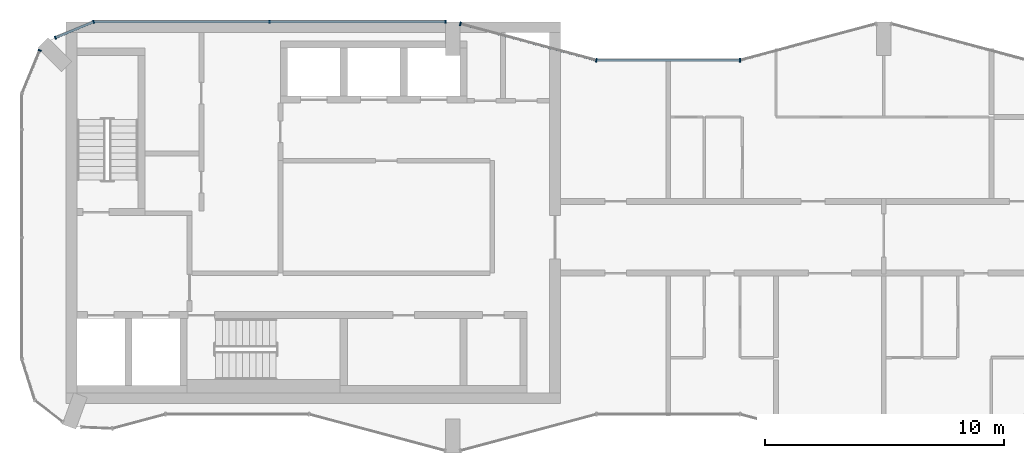
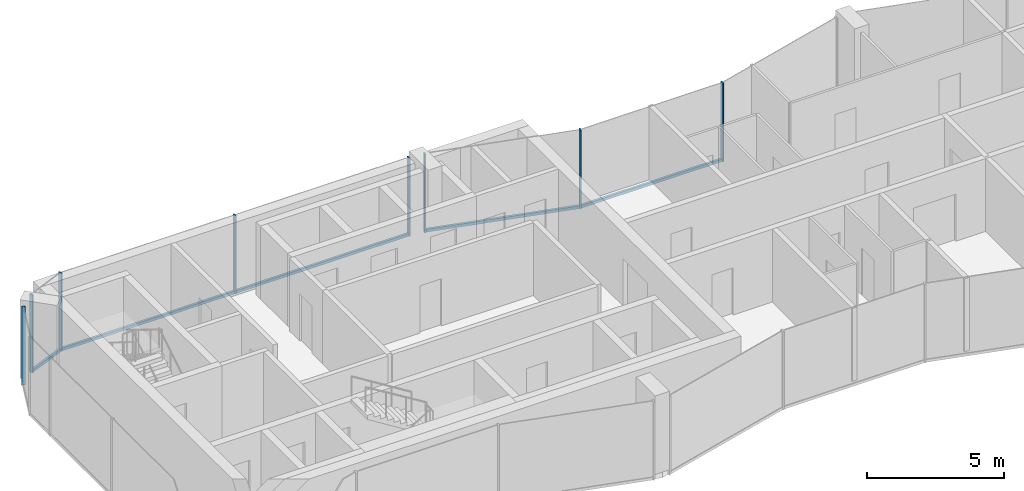
# One storey, part 4 of 10: 12 members, 5 elements without a shape of their own.
"""IFC4 building model written with IfcOpenShell, lengths in metres."""

from ifc_helpers import new_model, si_unit, direction, frame, origin, origin_2d, place, context, subcontext, project, spatial, rectangle, extrude, material, layer, layer_set, material_profile, profile_set, type_object, element, aggregate, save


model = new_model("IFC4")

# Units and contexts
model_context = context("Model", 3, precision=1e-05, world=origin(), true_north=direction((0.0, 1.0)))
body_context = subcontext(model_context, "Body", "Model", "MODEL_VIEW")
ifc_project = project(units=[si_unit("LENGTHUNIT", "METRE"), si_unit("AREAUNIT", "SQUARE_METRE"), si_unit("VOLUMEUNIT", "CUBIC_METRE"), si_unit("PLANEANGLEUNIT", "RADIAN"), si_unit("MASSUNIT", "GRAM", prefix="KILO")], contexts=[model_context])

# Site, building, storey
site_placement = place(None, origin())
site = spatial("IfcSite", under=ifc_project, at=site_placement, CompositionType="ELEMENT")
building_placement = place(site_placement, origin())
building = spatial("IfcBuilding", under=site, at=building_placement, Name="Plateau Cross Towers", CompositionType="ELEMENT")
storey_placement = place(building_placement, frame((0.0, 0.0, 277.39990234375)))
storey = spatial("IfcBuildingStorey", under=building, at=storey_placement, Name="L73", CompositionType="ELEMENT", Elevation=277.39990234375)

# Curtain wall, members
ifc_material_1 = material(Name="Dark low-iron glass", Category="glass")
ifc_layer_1 = layer(ifc_material_1, 0.239990234375)
ifc_layer_set_1 = layer_set([ifc_layer_1], Name="Dark low-iron glass")
curtain_wall_type_1 = type_object("IfcCurtainWallType", Name="Curtain wall flush unitised CW-B", PredefinedType="NOTDEFINED", material=ifc_layer_set_1)
curtain_wall_1_placement = place(storey_placement, origin())
curtain_wall_1 = element("IfcCurtainWall", 1, at=curtain_wall_1_placement, inside=storey, type_object=curtain_wall_type_1, Name="ENV/A/L73/A177_180", PredefinedType="NOTDEFINED")
ifc_material_2 = material(Name="Black anodised aluminium", Category="aluminium")
ifc_material_profile_1 = material_profile(ifc_material_2, rectangle(XDim=0.06005859375, YDim=0.139892578125, at=origin_2d()), Name="MULLION 60x140")
ifc_profile_set_1 = profile_set([ifc_material_profile_1], Name="Black anodised aluminium")
member_type_1 = type_object("IfcMemberType", Name="Mullion 60x140 flush unitised", PredefinedType="MULLION", material=ifc_profile_set_1)
member_1_placement = place(storey_placement, frame((17.699951171875, 18.0, -0.25), z_axis=(0.0, 0.0, 1.0), x_axis=(-1.0, 0.0, 0.0)))
member_1 = element("IfcMember", 2, at=member_1_placement, type_object=member_type_1, Name="CW-B mullion 1", PredefinedType="MULLION", context=body_context, shape_type="SweptSolid", body=[
    extrude(rectangle(XDim=0.06005859375, YDim=0.139892578125, at=origin_2d()), origin(), (0.0, 0.0, 1.0), 3.5),
])
member_2_placement = place(storey_placement, frame((10.35009765625, 18.0, -0.25), z_axis=(0.0, 0.0, 1.0), x_axis=(-1.0, 0.0, 0.0)))
member_2 = element("IfcMember", 3, at=member_2_placement, type_object=member_type_1, Name="CW-B mullion 2", PredefinedType="MULLION", context=body_context, shape_type="SweptSolid", body=[
    extrude(rectangle(XDim=0.06005859375, YDim=0.139892578125, at=origin_2d()), origin(), (0.0, 0.0, 1.0), 3.5),
])

curtain_wall_2_placement = place(storey_placement, origin())
curtain_wall_2 = element("IfcCurtainWall", 4, at=curtain_wall_2_placement, inside=storey, type_object=curtain_wall_type_1, Name="ENV/A/L73/A30_180", PredefinedType="NOTDEFINED")
member_3_placement = place(storey_placement, frame((3.0, 18.0, -0.25), z_axis=(0.0, 0.0, 1.0), x_axis=(-0.923879457699, -0.382683612978, 0.0)))
member_3 = element("IfcMember", 5, at=member_3_placement, type_object=member_type_1, Name="CW-B mullion 1", PredefinedType="MULLION", context=body_context, shape_type="SweptSolid", body=[
    extrude(rectangle(XDim=0.06005859375, YDim=0.139892578125, at=origin_2d()), origin(), (0.0, 0.0, 1.0), 3.5),
])
member_4_placement = place(storey_placement, frame((1.4033203125, 17.338623046875, -0.25), z_axis=(0.0, 0.0, 1.0), x_axis=(-0.923879457699, -0.382683612978, 0.0)))
member_4 = element("IfcMember", 6, at=member_4_placement, type_object=member_type_1, Name="CW-B mullion 2", PredefinedType="MULLION", context=body_context, shape_type="SweptSolid", body=[
    extrude(rectangle(XDim=0.06005859375, YDim=0.139892578125, at=origin_2d()), origin(), (0.0, 0.0, 1.0), 3.5),
])

# Curtain wall, member
curtain_wall_3_placement = place(storey_placement, origin())
curtain_wall_3 = element("IfcCurtainWall", 7, at=curtain_wall_3_placement, inside=storey, type_object=curtain_wall_type_1, Name="ENV/A/L73/A7_168", PredefinedType="NOTDEFINED")
member_5_placement = place(storey_placement, frame((0.748046875, 16.805908203125, -0.25), z_axis=(0.0, 0.0, 1.0), x_axis=(-0.382683612978, -0.923879457699, 0.0)))
member_5 = element("IfcMember", 8, at=member_5_placement, type_object=member_type_1, Name="CW-B mullion 1", PredefinedType="MULLION", context=body_context, shape_type="SweptSolid", body=[
    extrude(rectangle(XDim=0.06005859375, YDim=0.139892578125, at=origin_2d()), origin(), (0.0, 0.0, 1.0), 3.5),
])
aggregate(curtain_wall_3, [member_5])

ifc_layer_2 = layer(ifc_material_1, 0.260009765625)
ifc_layer_set_2 = layer_set([ifc_layer_2], Name="Dark low-iron glass")
curtain_wall_type_2 = type_object("IfcCurtainWallType", Name="Curtain wall fluted unitised CW-A", PredefinedType="NOTDEFINED", material=ifc_layer_set_2)
curtain_wall_4_placement = place(storey_placement, origin())
curtain_wall_4 = element("IfcCurtainWall", 9, at=curtain_wall_4_placement, inside=storey, type_object=curtain_wall_type_2, Name="ENV/A/L73/A300_164", PredefinedType="NOTDEFINED")
ifc_material_profile_2 = material_profile(ifc_material_2, rectangle(XDim=0.06005859375, YDim=0.159912109375, at=origin_2d()), Name="MULLION 60x160")
ifc_profile_set_2 = profile_set([ifc_material_profile_2], Name="Black anodised aluminium")
member_type_2 = type_object("IfcMemberType", Name="Mullion 60x160 fluted unitised", PredefinedType="MULLION", material=ifc_profile_set_2)
member_6_placement = place(storey_placement, frame((30.0, 16.39306640625, -0.25), z_axis=(0.0, 0.0, 1.0), x_axis=(-1.0, 0.0, 0.0)))
member_6 = element("IfcMember", 10, at=member_6_placement, type_object=member_type_2, Name="CW-A mullion 1", PredefinedType="MULLION", context=body_context, shape_type="SweptSolid", body=[
    extrude(rectangle(XDim=0.06005859375, YDim=0.159912109375, at=origin_2d()), origin(), (0.0, 0.0, 1.0), 3.5),
])

# Curtain wall, members
curtain_wall_5_placement = place(storey_placement, origin())
curtain_wall_5 = element("IfcCurtainWall", 11, at=curtain_wall_5_placement, inside=storey, type_object=curtain_wall_type_2, Name="ENV/A/L73/A240_164", PredefinedType="NOTDEFINED")
member_7_placement = place(storey_placement, frame((24.0, 16.39306640625, -0.25), z_axis=(0.0, 0.0, 1.0), x_axis=(-0.965957983404, 0.258699003279, 0.0)))
member_7 = element("IfcMember", 12, at=member_7_placement, type_object=member_type_2, Name="CW-A mullion 1", PredefinedType="MULLION", context=body_context, shape_type="SweptSolid", body=[
    extrude(rectangle(XDim=0.06005859375, YDim=0.159912109375, at=origin_2d()), origin(), (0.0, 0.0, 1.0), 3.5),
])
member_8_placement = place(storey_placement, frame((18.31787109375, 17.914794921875, -0.25), z_axis=(0.0, 0.0, 1.0), x_axis=(-0.965957983404, 0.258699003279, 0.0)))
member_8 = element("IfcMember", 13, at=member_8_placement, type_object=member_type_2, Name="CW-A mullion 2", PredefinedType="MULLION", context=body_context, shape_type="SweptSolid", body=[
    extrude(rectangle(XDim=0.06005859375, YDim=0.159912109375, at=origin_2d()), origin(), (0.0, 0.0, 1.0), 3.5),
])

# Member
ifc_material_profile_3 = material_profile(ifc_material_2, rectangle(XDim=0.10009765625, YDim=0.1201171875, at=origin_2d()), Name="TRANSOM 100x120")
ifc_profile_set_3 = profile_set([ifc_material_profile_3], Name="Black anodised aluminium")
member_type_3 = type_object("IfcMemberType", Name="Transom 100x120 flush unitised", PredefinedType="USERDEFINED", material=ifc_profile_set_3)
member_9_placement = place(storey_placement, frame((17.699951171875, 18.0, -0.18994140625), z_axis=(-1.0, 0.0, 0.0), x_axis=(0.0, -1.0, 0.0)))
member_9 = element("IfcMember", 14, at=member_9_placement, type_object=member_type_3, Name="CW-B transom", ObjectType="TRANSOM", PredefinedType="USERDEFINED", context=body_context, shape_type="SweptSolid", body=[
    extrude(rectangle(XDim=0.10009765625, YDim=0.1201171875, at=origin_2d()), origin(), (0.0, 0.0, 1.0), 14.699951171875),
])

aggregate(curtain_wall_1, [member_1, member_2, member_9])

member_10_placement = place(storey_placement, frame((3.0, 18.0, -0.18994140625), z_axis=(-0.923877369776, -0.382688653628, 0.0), x_axis=(0.382688653628, -0.923877369776, 0.0)))
member_10 = element("IfcMember", 15, at=member_10_placement, type_object=member_type_3, Name="CW-B transom", ObjectType="TRANSOM", PredefinedType="USERDEFINED", context=body_context, shape_type="SweptSolid", body=[
    extrude(rectangle(XDim=0.10009765625, YDim=0.1201171875, at=origin_2d()), origin(), (0.0, 0.0, 1.0), 1.728271484375),
])

aggregate(curtain_wall_2, [member_3, member_4, member_10])

ifc_material_profile_4 = material_profile(ifc_material_2, rectangle(XDim=0.10009765625, YDim=0.1201171875, at=origin_2d()), Name="TRANSOM 100x120")
ifc_profile_set_4 = profile_set([ifc_material_profile_4], Name="Black anodised aluminium")
member_type_4 = type_object("IfcMemberType", Name="Transom 100x120 fluted unitised", PredefinedType="USERDEFINED", material=ifc_profile_set_4)
member_11_placement = place(storey_placement, frame((30.0, 16.39306640625, -0.18994140625), z_axis=(-1.0, 0.0, 0.0), x_axis=(0.0, -1.0, 0.0)))
member_11 = element("IfcMember", 16, at=member_11_placement, type_object=member_type_4, Name="CW-A transom", ObjectType="TRANSOM", PredefinedType="USERDEFINED", context=body_context, shape_type="SweptSolid", body=[
    extrude(rectangle(XDim=0.10009765625, YDim=0.1201171875, at=origin_2d()), origin(), (0.0, 0.0, 1.0), 6.0),
])

aggregate(curtain_wall_4, [member_6, member_11])

member_12_placement = place(storey_placement, frame((24.0, 16.39306640625, -0.18994140625), z_axis=(-0.965959534794, 0.258693210465, 0.0), x_axis=(-0.258693210465, -0.965959534794, 0.0)))
member_12 = element("IfcMember", 17, at=member_12_placement, type_object=member_type_4, Name="CW-A transom", ObjectType="TRANSOM", PredefinedType="USERDEFINED", context=body_context, shape_type="SweptSolid", body=[
    extrude(rectangle(XDim=0.10009765625, YDim=0.1201171875, at=origin_2d()), origin(), (0.0, 0.0, 1.0), 5.88232421875),
])

aggregate(curtain_wall_5, [member_7, member_8, member_12])

save(model, "model.ifc")
